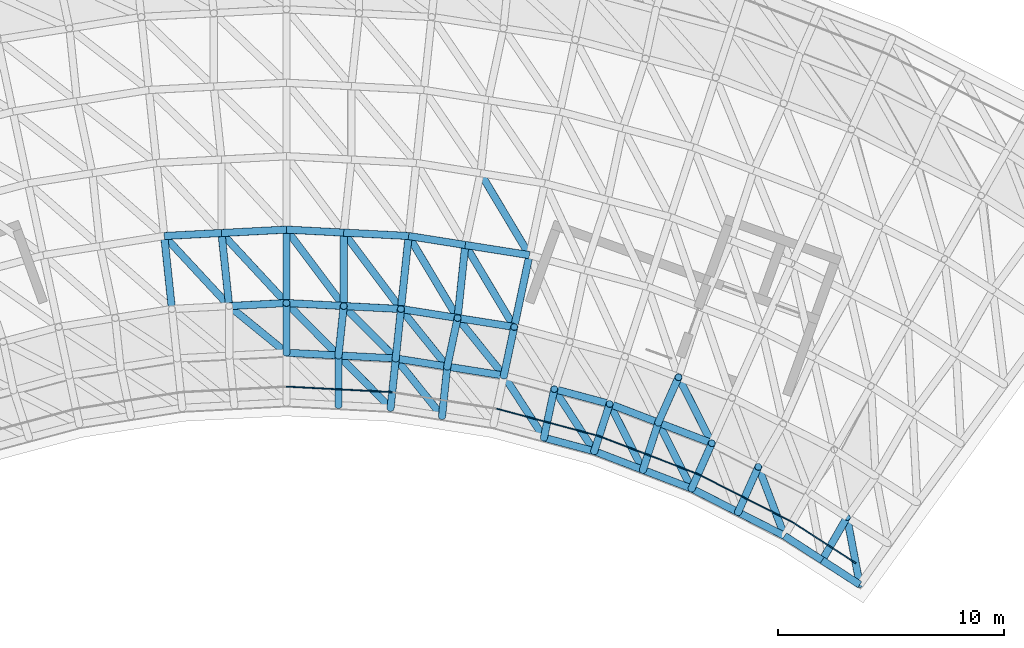
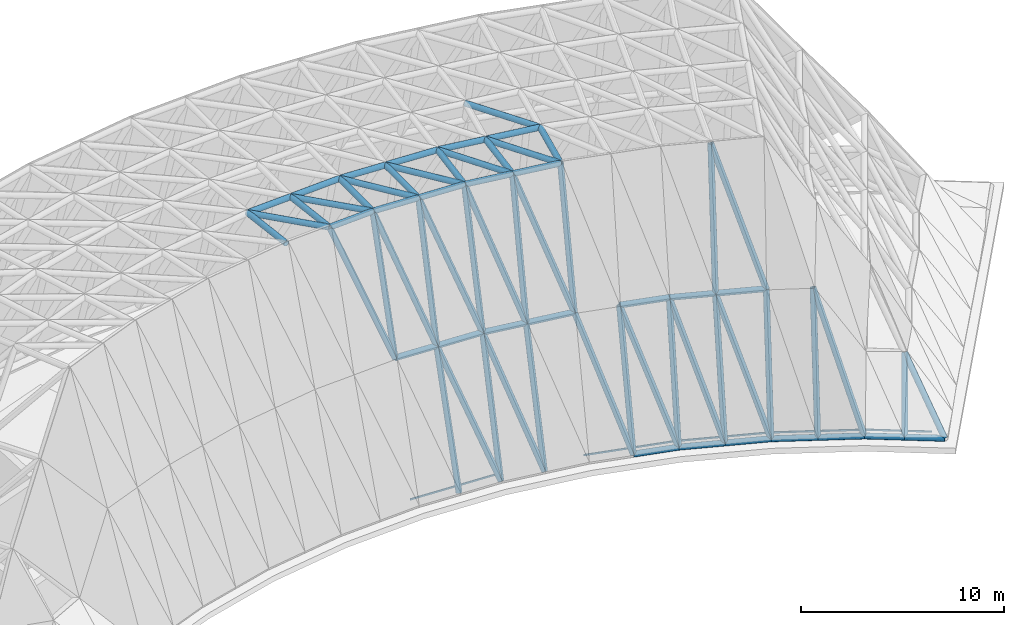
# One storey, part 6 of 20: 73 members.
"""IFC4 building model written with IfcOpenShell, lengths in metres."""

import ifcopenshell
import ifcopenshell.guid

model = None  # the IFC model being written
_history = None  # IfcOwnerHistory: only IFC2X3 demands one
_inside = {}  # id of a spatial element -> (the spatial element, [elements in it])
_under = {}  # id of a project, library or spatial element -> (it, [spatial elements below it])
_declared = {}  # id of a project -> (the project, [libraries it declares])
_typed = {}  # id of a type object -> (the type object, [elements of that type])
_made_of = {}  # id of a material, layer set ... -> (it, [elements and type objects made of it])


def new_model(schema):
    """Start an empty IFC model of exactly this schema.

    Asked for "IFC4X3", IfcOpenShell would pick the latest addendum, in which some entities
    have other attributes; the version numbers below select the first issue.
    IFC2X3 requires an IfcOwnerHistory on every rooted entity: one is made here for all.
    """
    global model, _history
    if schema == "IFC4X3":
        model = ifcopenshell.file(schema_version=(4, 3, 0, 0))
    else:
        model = ifcopenshell.file(schema=schema)
    _inside.clear()
    _under.clear()
    _declared.clear()
    _typed.clear()
    _made_of.clear()
    _history = None
    if model.schema == "IFC2X3":
        org = make("IfcOrganization", Name="unknown")
        user = make(
            "IfcPersonAndOrganization",
            ThePerson=make("IfcPerson", FamilyName="unknown"),
            TheOrganization=org,
        )
        app = make(
            "IfcApplication",
            ApplicationDeveloper=org,
            Version="unknown",
            ApplicationFullName="unknown",
            ApplicationIdentifier="unknown",
        )
        _history = make(
            "IfcOwnerHistory",
            OwningUser=user,
            OwningApplication=app,
            ChangeAction="ADDED",
            CreationDate=0,
        )
    return model


def make(cls, **values):
    """One entity of the class cls with the attributes given. An attribute that is None is left unset."""
    return model.create_entity(
        cls, **{name: value for name, value in values.items() if value is not None}
    )


def rooted(cls, **values):
    """An entity with a GlobalId (a new one), such as an element, a storey or a relation."""
    return make(cls, GlobalId=ifcopenshell.guid.new(), OwnerHistory=_history, **values)


def si_unit(unit_type, name, prefix=None):
    """IfcSIUnit, for example si_unit("LENGTHUNIT", "METRE", prefix="MILLI")."""
    return make("IfcSIUnit", UnitType=unit_type, Prefix=prefix, Name=name)


def assignment(units):
    """IfcUnitAssignment: the units of a project."""
    return None if units is None else make("IfcUnitAssignment", Units=units)


def point(xyz):
    """IfcCartesianPoint."""
    return None if xyz is None else make("IfcCartesianPoint", Coordinates=xyz)


def direction(xyz):
    """IfcDirection."""
    return None if xyz is None else make("IfcDirection", DirectionRatios=xyz)


def frame(location, z_axis=None, x_axis=None):
    """IfcAxis2Placement3D, a coordinate frame: its origin and axes. An axis left out is left unset."""
    return make(
        "IfcAxis2Placement3D",
        Location=point(location),
        Axis=direction(z_axis),
        RefDirection=direction(x_axis),
    )


def frame_2d(location, x_axis=None):
    """IfcAxis2Placement2D, a coordinate frame in the plane: its origin and x axis."""
    return make(
        "IfcAxis2Placement2D", Location=point(location), RefDirection=direction(x_axis)
    )


def origin():
    """The frame at (0, 0, 0) with its axes left unset."""
    return frame((0.0, 0.0, 0.0))


def origin_2d():
    """The frame at (0, 0) in the plane with its x axis left unset."""
    return frame_2d((0.0, 0.0))


def place(relative_to, where):
    """IfcLocalPlacement: puts the frame where relative to a parent placement (None: the world)."""
    return make(
        "IfcLocalPlacement", PlacementRelTo=relative_to, RelativePlacement=where
    )


def context(
    kind, dimensions, precision=None, world=None, true_north=None, identifier=None
):
    """IfcGeometricRepresentationContext, for example the 3D "Model" context."""
    return make(
        "IfcGeometricRepresentationContext",
        ContextIdentifier=identifier,
        ContextType=kind,
        CoordinateSpaceDimension=dimensions,
        Precision=precision,
        WorldCoordinateSystem=world,
        TrueNorth=true_north,
    )


def subcontext(parent, identifier, kind, view, scale=None):
    """IfcGeometricRepresentationSubContext, for example "Body" below "Model"."""
    return make(
        "IfcGeometricRepresentationSubContext",
        ContextIdentifier=identifier,
        ContextType=kind,
        ParentContext=parent,
        TargetScale=scale,
        TargetView=view,
    )


def project(units=None, contexts=None):
    """IfcProject with its units and contexts."""
    return rooted(
        "IfcProject",
        Name="project",
        RepresentationContexts=contexts,
        UnitsInContext=assignment(units),
    )


def spatial(cls, under=None, at=None, **own):
    """A site, building, storey or space (cls), placed at a placement, below another one or the project."""
    s = rooted(cls, ObjectPlacement=at, **own)
    if under is not None:
        _under.setdefault(under.id(), (under, []))[1].append(s)
    return s


def profile(cls, at=None, kind="AREA", **sizes):
    """A parametric profile (cls). Its sizes go by their IFC names, for example OverallWidth=200.0."""
    return make(cls, ProfileType=kind, Position=at, **sizes)


def rectangle(**sizes):
    """IfcRectangleProfileDef."""
    return profile("IfcRectangleProfileDef", **sizes)


def hollow_circle(**sizes):
    """IfcCircleHollowProfileDef."""
    return profile("IfcCircleHollowProfileDef", **sizes)


def extrude(swept, where, along, depth):
    """IfcExtrudedAreaSolid: the profile swept, set in the frame where, extruded along a direction by depth."""
    return make(
        "IfcExtrudedAreaSolid",
        SweptArea=swept,
        Position=where,
        ExtrudedDirection=direction(along),
        Depth=depth,
    )


def shape(context_of_items, identifier, shape_type, items):
    """IfcShapeRepresentation: the items that make up one representation, for example the "Body"."""
    return make(
        "IfcShapeRepresentation",
        ContextOfItems=context_of_items,
        RepresentationIdentifier=identifier,
        RepresentationType=shape_type,
        Items=items,
    )


def material(Name=None, Category=None):
    """IfcMaterial."""
    return make("IfcMaterial", Name=Name, Category=Category)


def material_profile(
    of_material, cross_section, Name=None, Category=None, Priority=None
):
    """IfcMaterialProfile: a cross section and its material."""
    return make(
        "IfcMaterialProfile",
        Name=Name,
        Material=of_material,
        Profile=cross_section,
        Priority=Priority,
        Category=Category,
    )


def profile_set(profiles, Name=None, composite=None):
    """IfcMaterialProfileSet."""
    return make(
        "IfcMaterialProfileSet",
        Name=Name,
        MaterialProfiles=profiles,
        CompositeProfile=composite,
    )


def made_of(thing, what):
    """Note that an element or type object is made of a material, layer set ...; save() writes the relation."""
    if what is not None:
        _made_of.setdefault(what.id(), (what, []))[1].append(thing)
    return thing


def type_object(cls, material=None, **own):
    """A type object (cls), such as IfcWallType, which elements share."""
    return made_of(rooted(cls, **own), material)


def element(
    cls,
    number,
    at=None,
    inside=None,
    cuts=None,
    type_object=None,
    material=None,
    context=None,
    identifier="Body",
    shape_type=None,
    held_by="IfcProductDefinitionShape",
    body=None,
    shapes=None,
    **own,
):
    """One element of the class cls, such as IfcWall. Its Tag is "e" and its number.

    at: its placement. inside: the storey or other place that contains it. cuts: it is an
    opening in that element (IfcRelVoidsElement). A single representation is given by context,
    identifier, shape_type and body (its items); several are given by shapes. held_by: the class
    of the entity that holds the representations. save() writes the other relations.
    """
    e = rooted(cls, Tag="e%d" % number, ObjectPlacement=at, **own)
    if body is not None:
        shapes = [shape(context, identifier, shape_type, body)]
    if shapes is not None:
        e.Representation = make(held_by, Representations=shapes)
    if inside is not None:
        _inside.setdefault(inside.id(), (inside, []))[1].append(e)
    if cuts is not None:
        rooted(
            "IfcRelVoidsElement", RelatingBuildingElement=cuts, RelatedOpeningElement=e
        )
    if type_object is not None:
        _typed.setdefault(type_object.id(), (type_object, []))[1].append(e)
    return made_of(e, material)


def aggregate(whole, parts):
    """IfcRelAggregates: a whole, such as a stair, and the parts it consists of."""
    return rooted("IfcRelAggregates", RelatingObject=whole, RelatedObjects=parts)


def save(model, path):
    """Write the relations noted so far, then the file.

    IfcRelAggregates (storeys below a building ...), IfcRelContainedInSpatialStructure (elements
    in a storey), IfcRelDefinesByType, IfcRelAssociatesMaterial and IfcRelDeclares: one each for
    every whole, place, type object, material and project.
    """
    for whole, parts in _under.values():
        aggregate(whole, parts)
    for where, things in _inside.values():
        rooted(
            "IfcRelContainedInSpatialStructure",
            RelatedElements=things,
            RelatingStructure=where,
        )
    for kind, things in _typed.values():
        rooted("IfcRelDefinesByType", RelatedObjects=things, RelatingType=kind)
    for what, things in _made_of.values():
        rooted("IfcRelAssociatesMaterial", RelatedObjects=things, RelatingMaterial=what)
    for by, libraries in _declared.values():
        rooted("IfcRelDeclares", RelatingContext=by, RelatedDefinitions=libraries)
    model.write(path)


model = new_model("IFC4")

# Units and contexts
model_context = context("Model", 3, precision=1e-05, world=origin(), true_north=direction((0.0, 1.0)))
body_context = subcontext(model_context, "Body", "Model", "MODEL_VIEW")
ifc_project = project(units=[si_unit("LENGTHUNIT", "METRE"), si_unit("AREAUNIT", "SQUARE_METRE"), si_unit("VOLUMEUNIT", "CUBIC_METRE"), si_unit("PLANEANGLEUNIT", "RADIAN"), si_unit("MASSUNIT", "GRAM", prefix="KILO")], contexts=[model_context])

# Site, building, storey
site_placement = place(None, origin())
site = spatial("IfcSite", under=ifc_project, at=site_placement, CompositionType="ELEMENT")
building_placement = place(site_placement, origin())
building = spatial("IfcBuilding", under=site, at=building_placement, Name="Stone Belt Terrace Tower", CompositionType="ELEMENT")
storey_placement = place(building_placement, frame((0.0, 0.0, 337.39990234375)))
storey = spatial("IfcBuildingStorey", under=building, at=storey_placement, Name="RF", CompositionType="ELEMENT", Elevation=337.39990234375)

# Members
ifc_material_1 = material(Name="Structural steel C345", Category="steel")
ifc_material_profile_1 = material_profile(ifc_material_1, hollow_circle(Radius=0.16259765625, WallThickness=0.011962890625, at=origin_2d()), Name="Structural steel C345 CHS 325x12")
ifc_profile_set_1 = profile_set([ifc_material_profile_1], Name="Structural steel C345")
member_type_1 = type_object("IfcMemberType", Name="Crown frame tube CHS 325 x 12", PredefinedType="RAFTER", material=ifc_profile_set_1)
member_1_placement = place(storey_placement, frame((0.0, 48.5, 15.16259765625), z_axis=(0.0, -0.281439053934, -0.959579105088), x_axis=(1.0, 0.0, 0.0)))
element("IfcMember", 1, at=member_1_placement, inside=storey, type_object=member_type_1, Name="CROWN FRAME rafter 313", PredefinedType="RAFTER", context=body_context, shape_type="SweptSolid", body=[
    extrude(hollow_circle(Radius=0.16259765625, WallThickness=0.011962890625, at=origin_2d()), origin(), (0.0, 0.0, 1.0), 7.81591796875),
])
for number, where, z_axis, x_axis, name in (
    (2, (0.0, 48.5, 15.16259765625), (0.281704585768, -0.283584406646, -0.916636465926), (0.709454282462, 0.704751460514, 0.0), "CROWN FRAME rafter 315"),
    (3, (-2.534912109375, 48.3671875, 15.16259765625), (0.30980943942, -0.252609719169, -0.916627754886), (0.631932106739, 0.775023749618, 0.0), "CROWN FRAME rafter 317"),
):
    element("IfcMember", number, at=place(storey_placement, frame(where, z_axis=z_axis, x_axis=x_axis)), inside=storey, type_object=member_type_1, Name=name, PredefinedType="RAFTER", context=body_context, shape_type="SweptSolid", body=[
        extrude(hollow_circle(Radius=0.16259765625, WallThickness=0.011962890625, at=origin_2d()), origin(), (0.0, 0.0, 1.0), 8.18212890625),
    ])
member_2_placement = place(storey_placement, frame((5.069580078125, 48.234375, 15.16259765625), z_axis=(-0.029424753509, -0.279878759495, -0.959584318267), x_axis=(0.994518825066, -0.104557671117, 0.0)))
element("IfcMember", 4, at=member_2_placement, inside=storey, type_object=member_type_1, Name="CROWN FRAME rafter 363", PredefinedType="RAFTER", context=body_context, shape_type="SweptSolid", body=[
    extrude(hollow_circle(Radius=0.16259765625, WallThickness=0.011962890625, at=origin_2d()), origin(), (0.0, 0.0, 1.0), 7.81591796875),
])
member_3_placement = place(storey_placement, frame((5.069580078125, 48.234375, 15.16259765625), z_axis=(0.250522644816, -0.311482359366, -0.91663359323), x_axis=(0.779234847809, 0.626732041594, 0.0)))
element("IfcMember", 5, at=member_3_placement, inside=storey, type_object=member_type_1, Name="CROWN FRAME rafter 365", PredefinedType="RAFTER", context=body_context, shape_type="SweptSolid", body=[
    extrude(hollow_circle(Radius=0.16259765625, WallThickness=0.011962890625, at=origin_2d()), origin(), (0.0, 0.0, 1.0), 8.18212890625),
])
member_4_placement = place(storey_placement, frame((2.534912109375, 48.3671875, 15.16259765625), z_axis=(-0.029424753509, -0.279878759495, -0.959584318267), x_axis=(0.994518825066, -0.104557671117, 0.0)))
element("IfcMember", 6, at=member_4_placement, inside=storey, type_object=member_type_1, Name="CROWN FRAME rafter 366", PredefinedType="RAFTER", context=body_context, shape_type="SweptSolid", body=[
    extrude(hollow_circle(Radius=0.16259765625, WallThickness=0.011962890625, at=origin_2d()), origin(), (0.0, 0.0, 1.0), 7.81591796875),
])
for number, where, z_axis, x_axis, name in (
    (7, (2.534912109375, 48.3671875, 15.16259765625), (0.281677114898, -0.283586790253, -0.916644170514), (0.709491606589, 0.704713885332, 0.0), "CROWN FRAME rafter 367"),
    (8, (2.304931640625, 46.1796875, 7.66259765625), (0.28170220197, -0.283611845114, -0.916628709302), (0.709491355268, 0.704714138357, 0.0), "CROWN FRAME rafter 369"),
):
    element("IfcMember", number, at=place(storey_placement, frame(where, z_axis=z_axis, x_axis=x_axis)), inside=storey, type_object=member_type_1, Name=name, PredefinedType="RAFTER", context=body_context, shape_type="SweptSolid", body=[
        extrude(hollow_circle(Radius=0.16259765625, WallThickness=0.011962890625, at=origin_2d()), origin(), (0.0, 0.0, 1.0), 8.18212890625),
    ])
for number, where, z_axis, x_axis, name in (
    (9, (2.304931640625, 46.1796875, 7.66259765625), (0.0, -0.281439053934, -0.959579105088), (1.0, 0.0, 0.0), "CROWN FRAME rafter 370"),
    (10, (4.839599609375, 46.046875, 7.66259765625), (-0.02939328706, -0.279907805896, -0.959576810304), (0.994531571653, -0.104436358545, 0.0), "CROWN FRAME rafter 371"),
):
    element("IfcMember", number, at=place(storey_placement, frame(where, z_axis=z_axis, x_axis=x_axis)), inside=storey, type_object=member_type_1, Name=name, PredefinedType="RAFTER", context=body_context, shape_type="SweptSolid", body=[
        extrude(hollow_circle(Radius=0.16259765625, WallThickness=0.011962890625, at=origin_2d()), origin(), (0.0, 0.0, 1.0), 7.81591796875),
    ])
member_5_placement = place(storey_placement, frame((4.839599609375, 46.046875, 7.66259765625), z_axis=(0.250522644816, -0.311482359366, -0.91663359323), x_axis=(0.779234847809, 0.626732041594, 0.0)))
element("IfcMember", 11, at=member_5_placement, inside=storey, type_object=member_type_1, Name="CROWN FRAME rafter 373", PredefinedType="RAFTER", context=body_context, shape_type="SweptSolid", body=[
    extrude(hollow_circle(Radius=0.16259765625, WallThickness=0.011962890625, at=origin_2d()), origin(), (0.0, 0.0, 1.0), 8.18212890625),
])
for number, where, z_axis, x_axis, name in (
    (12, (10.083740234375, 47.440185546875, 15.16259765625), (-0.058505673699, -0.275285906198, -0.959580510428), (0.978153491089, -0.207883976944, 0.0), "CROWN FRAME rafter 413"),
    (13, (7.57666015625, 47.837158203125, 15.16259765625), (-0.058506176763, -0.275257036644, -0.959588761428), (0.978148693799, -0.207906548285, 0.0), "CROWN FRAME rafter 416"),
):
    element("IfcMember", number, at=place(storey_placement, frame(where, z_axis=z_axis, x_axis=x_axis)), inside=storey, type_object=member_type_1, Name=name, PredefinedType="RAFTER", context=body_context, shape_type="SweptSolid", body=[
        extrude(hollow_circle(Radius=0.16259765625, WallThickness=0.011962890625, at=origin_2d()), origin(), (0.0, 0.0, 1.0), 7.81591796875),
    ])
member_6_placement = place(storey_placement, frame((7.57666015625, 47.837158203125, 15.16259765625), z_axis=(0.250522644816, -0.311482359366, -0.91663359323), x_axis=(0.779234847809, 0.626732041594, 0.0)))
element("IfcMember", 14, at=member_6_placement, inside=storey, type_object=member_type_1, Name="CROWN FRAME rafter 417", PredefinedType="RAFTER", context=body_context, shape_type="SweptSolid", body=[
    extrude(hollow_circle(Radius=0.16259765625, WallThickness=0.011962890625, at=origin_2d()), origin(), (0.0, 0.0, 1.0), 8.18212890625),
])
member_7_placement = place(storey_placement, frame((7.119384765625, 45.685791015625, 7.66259765625), z_axis=(-0.029424753509, -0.279878759495, -0.959584318267), x_axis=(0.994518825066, -0.104557671117, 0.0)))
element("IfcMember", 15, at=member_7_placement, inside=storey, type_object=member_type_1, Name="CROWN FRAME rafter 420", PredefinedType="RAFTER", context=body_context, shape_type="SweptSolid", body=[
    extrude(hollow_circle(Radius=0.16259765625, WallThickness=0.011962890625, at=origin_2d()), origin(), (0.0, 0.0, 1.0), 7.81591796875),
])
for number, where, z_axis, x_axis, name in (
    (16, (9.62646484375, 45.28857421875, 7.66259765625), (0.216568732317, -0.335953066569, -0.916642526422), (0.840496245792, 0.541817368501, 0.0), "CROWN FRAME rafter 423"),
    (17, (11.855712890625, 44.691162109375, 7.66259765625), (0.216597171173, -0.335950895473, -0.916636602624), (0.84046224976, 0.541870101342, 0.0), "CROWN FRAME rafter 469"),
):
    element("IfcMember", number, at=place(storey_placement, frame(where, z_axis=z_axis, x_axis=x_axis)), inside=storey, type_object=member_type_1, Name=name, PredefinedType="RAFTER", context=body_context, shape_type="SweptSolid", body=[
        extrude(hollow_circle(Radius=0.16259765625, WallThickness=0.011962890625, at=origin_2d()), origin(), (0.0, 0.0, 1.0), 8.18212890625),
    ])
for number, where, z_axis, x_axis, name in (
    (18, (11.855712890625, 44.691162109375, 7.66259765625), (-0.058506176763, -0.275257036644, -0.959588761428), (0.978148693799, -0.207906548285, 0.0), "CROWN FRAME rafter 470"),
    (19, (14.3076171875, 44.034423828125, 7.66259765625), (-0.086961927799, -0.267664065845, -0.959579892958), (0.951064242649, -0.30899321409, 0.0), "CROWN FRAME rafter 471"),
):
    element("IfcMember", number, at=place(storey_placement, frame(where, z_axis=z_axis, x_axis=x_axis)), inside=storey, type_object=member_type_1, Name=name, PredefinedType="RAFTER", context=body_context, shape_type="SweptSolid", body=[
        extrude(hollow_circle(Radius=0.16259765625, WallThickness=0.011962890625, at=origin_2d()), origin(), (0.0, 0.0, 1.0), 7.81591796875),
    ])
member_8_placement = place(storey_placement, frame((14.3076171875, 44.034423828125, 7.66259765625), z_axis=(0.18028240002, -0.356775348733, -0.916629481732), x_axis=(0.892523185022, 0.451001512412, 0.0)))
element("IfcMember", 20, at=member_8_placement, inside=storey, type_object=member_type_1, Name="CROWN FRAME rafter 473", PredefinedType="RAFTER", context=body_context, shape_type="SweptSolid", body=[
    extrude(hollow_circle(Radius=0.16259765625, WallThickness=0.011962890625, at=origin_2d()), origin(), (0.0, 0.0, 1.0), 8.18212890625),
])
member_9_placement = place(storey_placement, frame((17.35693359375, 45.216552734375, 15.16259765625), z_axis=(-0.114451044871, -0.257077538014, -0.959589546513), x_axis=(0.913555029688, -0.406715143229, 0.0)))
element("IfcMember", 21, at=member_9_placement, inside=storey, type_object=member_type_1, Name="CROWN FRAME rafter 516", PredefinedType="RAFTER", context=body_context, shape_type="SweptSolid", body=[
    extrude(hollow_circle(Radius=0.16259765625, WallThickness=0.011962890625, at=origin_2d()), origin(), (0.0, 0.0, 1.0), 7.81591796875),
])
for number, where, z_axis, x_axis, name in (
    (22, (17.35693359375, 45.216552734375, 15.16259765625), (0.180284319173, -0.356749308182, -0.91663923949), (0.892508000656, 0.45103156072, 0.0), "CROWN FRAME rafter 517"),
    (23, (16.46240234375, 43.207275390625, 7.66259765625), (0.18028240002, -0.356775348733, -0.916629481732), (0.892523185022, 0.451001512412, 0.0), "CROWN FRAME rafter 519"),
):
    element("IfcMember", number, at=place(storey_placement, frame(where, z_axis=z_axis, x_axis=x_axis)), inside=storey, type_object=member_type_1, Name=name, PredefinedType="RAFTER", context=body_context, shape_type="SweptSolid", body=[
        extrude(hollow_circle(Radius=0.16259765625, WallThickness=0.011962890625, at=origin_2d()), origin(), (0.0, 0.0, 1.0), 8.18212890625),
    ])
for number, where, z_axis, x_axis, name in (
    (24, (16.46240234375, 43.207275390625, 7.66259765625), (-0.086961927799, -0.267664065845, -0.959579892958), (0.951064242649, -0.30899321409, 0.0), "CROWN FRAME rafter 520"),
    (25, (18.83203125, 42.297607421875, 7.66259765625), (-0.114450125757, -0.257106709908, -0.959581840405), (0.913573388708, -0.406673903077, 0.0), "CROWN FRAME rafter 521"),
):
    element("IfcMember", number, at=place(storey_placement, frame(where, z_axis=z_axis, x_axis=x_axis)), inside=storey, type_object=member_type_1, Name=name, PredefinedType="RAFTER", context=body_context, shape_type="SweptSolid", body=[
        extrude(hollow_circle(Radius=0.16259765625, WallThickness=0.011962890625, at=origin_2d()), origin(), (0.0, 0.0, 1.0), 7.81591796875),
    ])
member_10_placement = place(storey_placement, frame((20.888427734375, 41.249755859375, 7.66259765625), z_axis=(0.142000116965, -0.373664102701, -0.916630299049), x_axis=(0.934777136089, 0.355234719368, 0.0)))
element("IfcMember", 26, at=member_10_placement, inside=storey, type_object=member_type_1, Name="CROWN FRAME rafter 569", PredefinedType="RAFTER", context=body_context, shape_type="SweptSolid", body=[
    extrude(hollow_circle(Radius=0.16259765625, WallThickness=0.011962890625, at=origin_2d()), origin(), (0.0, 0.0, 1.0), 8.18212890625),
])
member_11_placement = place(storey_placement, frame((20.888427734375, 41.249755859375, 7.66259765625), z_axis=(-0.114450125757, -0.257106709908, -0.959581840405), x_axis=(0.913573388708, -0.406673903077, 0.0)))
element("IfcMember", 27, at=member_11_placement, inside=storey, type_object=member_type_1, Name="CROWN FRAME rafter 570", PredefinedType="RAFTER", context=body_context, shape_type="SweptSolid", body=[
    extrude(hollow_circle(Radius=0.16259765625, WallThickness=0.011962890625, at=origin_2d()), origin(), (0.0, 0.0, 1.0), 7.81591796875),
])
member_12_placement = place(storey_placement, frame((24.815185546875, 39.017333984375, 3.721435546875), z_axis=(0.120788836537, -0.637911151404, -0.760578345658), x_axis=(0.982541272938, 0.186044744549, 0.0)))
element("IfcMember", 28, at=member_12_placement, inside=storey, type_object=member_type_1, Name="CROWN FRAME rafter 605", PredefinedType="RAFTER", context=body_context, shape_type="SweptSolid", body=[
    extrude(hollow_circle(Radius=0.16259765625, WallThickness=0.011962890625, at=origin_2d()), origin(), (0.0, 0.0, 1.0), 4.67919921875),
])
member_13_placement = place(storey_placement, frame((24.815185546875, 39.017333984375, 3.721435546875), z_axis=(-0.262891157464, -0.455288970152, -0.85064692616), x_axis=(0.866000736692, -0.500042722224, 0.0)))
element("IfcMember", 29, at=member_13_placement, inside=storey, type_object=member_type_1, Name="CROWN FRAME rafter 606", PredefinedType="RAFTER", context=body_context, shape_type="SweptSolid", body=[
    extrude(hollow_circle(Radius=0.16259765625, WallThickness=0.011962890625, at=origin_2d()), origin(), (0.0, 0.0, 1.0), 4.18359375),
])
ifc_material_profile_2 = material_profile(ifc_material_1, hollow_circle(Radius=0.16259765625, WallThickness=0.011962890625, at=origin_2d()), Name="Structural steel C345 CHS 325x12")
ifc_profile_set_2 = profile_set([ifc_material_profile_2], Name="Structural steel C345")
member_type_2 = type_object("IfcMemberType", Name="Crown ring and ridge tube CHS 325 x 12", PredefinedType="CHORD", material=ifc_profile_set_2)
member_14_placement = place(storey_placement, frame((-5.409423828125, 51.466552734375, 15.16259765625), z_axis=(0.104567472619, -0.994517794547, 0.0), x_axis=(0.994517794547, 0.104567472619, 0.0)))
element("IfcMember", 30, at=member_14_placement, inside=storey, type_object=member_type_2, Name="CROWN FRAME cap beam 259", PredefinedType="CHORD", context=body_context, shape_type="SweptSolid", body=[
    extrude(hollow_circle(Radius=0.16259765625, WallThickness=0.011962890625, at=origin_2d()), origin(), (0.0, 0.0, 1.0), 3.25),
])
member_15_placement = place(storey_placement, frame((-5.409423828125, 51.466552734375, 15.16259765625), z_axis=(0.998630288523, 0.052321571507, 0.0), x_axis=(-0.052321571507, 0.998630288523, 0.0)))
element("IfcMember", 31, at=member_15_placement, inside=storey, type_object=member_type_2, Name="CROWN FRAME cap beam 260", PredefinedType="CHORD", context=body_context, shape_type="SweptSolid", body=[
    extrude(hollow_circle(Radius=0.16259765625, WallThickness=0.011962890625, at=origin_2d()), origin(), (0.0, 0.0, 1.0), 2.538330078125),
])
member_16_placement = place(storey_placement, frame((-5.409423828125, 51.466552734375, 15.16259765625), z_axis=(0.680010137649, -0.733202709143, 0.0), x_axis=(0.733202709143, 0.680010137649, 0.0)))
element("IfcMember", 32, at=member_16_placement, inside=storey, type_object=member_type_2, Name="CROWN FRAME cap beam 261", PredefinedType="CHORD", context=body_context, shape_type="SweptSolid", body=[
    extrude(hollow_circle(Radius=0.16259765625, WallThickness=0.011962890625, at=origin_2d()), origin(), (0.0, 0.0, 1.0), 4.22705078125),
])
member_17_placement = place(storey_placement, frame((-2.87451171875, 51.599365234375, 15.16259765625), z_axis=(0.998629752813, 0.052331795268, 0.0), x_axis=(-0.052331795268, 0.998629752813, 0.0)))
element("IfcMember", 33, at=member_17_placement, inside=storey, type_object=member_type_2, Name="CROWN FRAME cap beam 306", PredefinedType="CHORD", context=body_context, shape_type="SweptSolid", body=[
    extrude(hollow_circle(Radius=0.16259765625, WallThickness=0.011962890625, at=origin_2d()), origin(), (0.0, 0.0, 1.0), 2.87841796875),
])
member_18_placement = place(storey_placement, frame((-2.87451171875, 51.599365234375, 15.16259765625), z_axis=(0.680010137649, -0.733202709143, 0.0), x_axis=(0.733202709143, 0.680010137649, 0.0)))
element("IfcMember", 34, at=member_18_placement, inside=storey, type_object=member_type_2, Name="CROWN FRAME cap beam 307", PredefinedType="CHORD", context=body_context, shape_type="SweptSolid", body=[
    extrude(hollow_circle(Radius=0.16259765625, WallThickness=0.011962890625, at=origin_2d()), origin(), (0.0, 0.0, 1.0), 4.22705078125),
])
for number, where, z_axis, x_axis, name in (
    (35, (-2.87451171875, 51.599365234375, 15.16259765625), (0.104493172826, -0.99452560391, 0.0), (0.99452560391, 0.104493172826, 0.0), "CROWN FRAME cap beam 308"),
    (36, (0.0, 51.75, 15.16259765625), (0.0, -1.0, 0.0), (1.0, 0.0, 0.0), "CROWN FRAME cap beam 309"),
):
    element("IfcMember", number, at=place(storey_placement, frame(where, z_axis=z_axis, x_axis=x_axis)), inside=storey, type_object=member_type_2, Name=name, PredefinedType="CHORD", context=body_context, shape_type="SweptSolid", body=[
        extrude(hollow_circle(Radius=0.16259765625, WallThickness=0.011962890625, at=origin_2d()), origin(), (0.0, 0.0, 1.0), 3.25),
    ])
member_19_placement = place(storey_placement, frame((0.0, 51.75, 15.16259765625), z_axis=(0.998630288523, -0.052321571507, 0.0), x_axis=(0.052321571507, 0.998630288523, 0.0)))
element("IfcMember", 37, at=member_19_placement, inside=storey, type_object=member_type_2, Name="CROWN FRAME cap beam 310", PredefinedType="CHORD", context=body_context, shape_type="SweptSolid", body=[
    extrude(hollow_circle(Radius=0.16259765625, WallThickness=0.011962890625, at=origin_2d()), origin(), (0.0, 0.0, 1.0), 2.538330078125),
])
member_20_placement = place(storey_placement, frame((0.0, 51.75, 15.16259765625), z_axis=(0.599667280925, -0.800249431233, 0.0), x_axis=(0.800249431233, 0.599667280925, 0.0)))
element("IfcMember", 38, at=member_20_placement, inside=storey, type_object=member_type_2, Name="CROWN FRAME cap beam 311", PredefinedType="CHORD", context=body_context, shape_type="SweptSolid", body=[
    extrude(hollow_circle(Radius=0.16259765625, WallThickness=0.011962890625, at=origin_2d()), origin(), (0.0, 0.0, 1.0), 4.227294921875),
])
for number, where, z_axis, x_axis, name in (
    (39, (0.0, 48.5, 15.16259765625), (-0.998630288523, -0.052321571507, 0.0), (0.052321571507, -0.998630288523, 0.0), "CROWN FRAME cap beam 312"),
    (40, (0.0, 48.5, 15.16259765625), (0.998630288523, -0.052321571507, 0.0), (0.052321571507, 0.998630288523, 0.0), "CROWN FRAME cap beam 314"),
):
    element("IfcMember", number, at=place(storey_placement, frame(where, z_axis=z_axis, x_axis=x_axis)), inside=storey, type_object=member_type_2, Name=name, PredefinedType="CHORD", context=body_context, shape_type="SweptSolid", body=[
        extrude(hollow_circle(Radius=0.16259765625, WallThickness=0.011962890625, at=origin_2d()), origin(), (0.0, 0.0, 1.0), 2.538330078125),
    ])
member_21_placement = place(storey_placement, frame((0.0, 46.30029296875, 7.66259765625), z_axis=(0.998633853631, -0.052253482014, 0.0), x_axis=(0.052253482014, 0.998633853631, 0.0)))
element("IfcMember", 41, at=member_21_placement, inside=storey, type_object=member_type_2, Name="CROWN FRAME cap beam 322", PredefinedType="CHORD", context=body_context, shape_type="SweptSolid", body=[
    extrude(hollow_circle(Radius=0.16259765625, WallThickness=0.011962890625, at=origin_2d()), origin(), (0.0, 0.0, 1.0), 2.30810546875),
])
member_22_placement = place(storey_placement, frame((2.534912109375, 51.6171875, 15.16259765625), z_axis=(0.998629752813, -0.052331795268, 0.0), x_axis=(0.052331795268, 0.998629752813, 0.0)))
element("IfcMember", 42, at=member_22_placement, inside=storey, type_object=member_type_2, Name="CROWN FRAME cap beam 356", PredefinedType="CHORD", context=body_context, shape_type="SweptSolid", body=[
    extrude(hollow_circle(Radius=0.16259765625, WallThickness=0.011962890625, at=origin_2d()), origin(), (0.0, 0.0, 1.0), 2.87841796875),
])
member_23_placement = place(storey_placement, frame((2.534912109375, 51.6171875, 15.16259765625), z_axis=(0.599630292928, -0.80027714687, 0.0), x_axis=(0.80027714687, 0.599630292928, 0.0)))
element("IfcMember", 43, at=member_23_placement, inside=storey, type_object=member_type_2, Name="CROWN FRAME cap beam 357", PredefinedType="CHORD", context=body_context, shape_type="SweptSolid", body=[
    extrude(hollow_circle(Radius=0.16259765625, WallThickness=0.011962890625, at=origin_2d()), origin(), (0.0, 0.0, 1.0), 4.22705078125),
])
for number, where, z_axis, x_axis, name in (
    (44, (2.534912109375, 51.6171875, 15.16259765625), (0.0, -1.0, 0.0), (1.0, 0.0, 0.0), "CROWN FRAME cap beam 358"),
    (45, (5.409423828125, 51.466552734375, 15.16259765625), (-0.104567472619, -0.994517794547, 0.0), (0.994517794547, -0.104567472619, 0.0), "CROWN FRAME cap beam 359"),
):
    element("IfcMember", number, at=place(storey_placement, frame(where, z_axis=z_axis, x_axis=x_axis)), inside=storey, type_object=member_type_2, Name=name, PredefinedType="CHORD", context=body_context, shape_type="SweptSolid", body=[
        extrude(hollow_circle(Radius=0.16259765625, WallThickness=0.011962890625, at=origin_2d()), origin(), (0.0, 0.0, 1.0), 3.25),
    ])
member_24_placement = place(storey_placement, frame((5.409423828125, 51.466552734375, 15.16259765625), z_axis=(0.987680163128, -0.156486086806, 0.0), x_axis=(0.156486086806, 0.987680163128, 0.0)))
element("IfcMember", 46, at=member_24_placement, inside=storey, type_object=member_type_2, Name="CROWN FRAME cap beam 360", PredefinedType="CHORD", context=body_context, shape_type="SweptSolid", body=[
    extrude(hollow_circle(Radius=0.16259765625, WallThickness=0.011962890625, at=origin_2d()), origin(), (0.0, 0.0, 1.0), 2.538330078125),
])
member_25_placement = place(storey_placement, frame((5.409423828125, 51.466552734375, 15.16259765625), z_axis=(0.512685539738, -0.858576459812, 0.0), x_axis=(0.858576459812, 0.512685539738, 0.0)))
element("IfcMember", 47, at=member_25_placement, inside=storey, type_object=member_type_2, Name="CROWN FRAME cap beam 361", PredefinedType="CHORD", context=body_context, shape_type="SweptSolid", body=[
    extrude(hollow_circle(Radius=0.16259765625, WallThickness=0.011962890625, at=origin_2d()), origin(), (0.0, 0.0, 1.0), 4.227294921875),
])
member_26_placement = place(storey_placement, frame((5.069580078125, 48.234375, 15.16259765625), z_axis=(-0.998630025189, 0.052326597351, 0.0), x_axis=(-0.052326597351, -0.998630025189, 0.0)))
element("IfcMember", 48, at=member_26_placement, inside=storey, type_object=member_type_2, Name="CROWN FRAME cap beam 362", PredefinedType="CHORD", context=body_context, shape_type="SweptSolid", body=[
    extrude(hollow_circle(Radius=0.16259765625, WallThickness=0.011962890625, at=origin_2d()), origin(), (0.0, 0.0, 1.0), 2.5380859375),
])
member_27_placement = place(storey_placement, frame((5.069580078125, 48.234375, 15.16259765625), z_axis=(0.987680163128, -0.156486086806, 0.0), x_axis=(0.156486086806, 0.987680163128, 0.0)))
element("IfcMember", 49, at=member_27_placement, inside=storey, type_object=member_type_2, Name="CROWN FRAME cap beam 364", PredefinedType="CHORD", context=body_context, shape_type="SweptSolid", body=[
    extrude(hollow_circle(Radius=0.16259765625, WallThickness=0.011962890625, at=origin_2d()), origin(), (0.0, 0.0, 1.0), 2.538330078125),
])
member_28_placement = place(storey_placement, frame((2.304931640625, 46.1796875, 7.66259765625), z_axis=(0.998630025189, -0.052326597351, 0.0), x_axis=(0.052326597351, 0.998630025189, 0.0)))
element("IfcMember", 50, at=member_28_placement, inside=storey, type_object=member_type_2, Name="CROWN FRAME cap beam 368", PredefinedType="CHORD", context=body_context, shape_type="SweptSolid", body=[
    extrude(hollow_circle(Radius=0.16259765625, WallThickness=0.011962890625, at=origin_2d()), origin(), (0.0, 0.0, 1.0), 2.5380859375),
])
member_29_placement = place(storey_placement, frame((4.839599609375, 46.046875, 7.66259765625), z_axis=(0.987688240967, -0.156435094066, 0.0), x_axis=(0.156435094066, 0.987688240967, 0.0)))
element("IfcMember", 51, at=member_29_placement, inside=storey, type_object=member_type_2, Name="CROWN FRAME cap beam 372", PredefinedType="CHORD", context=body_context, shape_type="SweptSolid", body=[
    extrude(hollow_circle(Radius=0.16259765625, WallThickness=0.011962890625, at=origin_2d()), origin(), (0.0, 0.0, 1.0), 2.30810546875),
])
member_30_placement = place(storey_placement, frame((8.592041015625, 54.248291015625, 15.16259765625), z_axis=(0.51275353563, -0.858535853473, 0.0), x_axis=(0.858535853473, 0.51275353563, 0.0)))
element("IfcMember", 52, at=member_30_placement, inside=storey, type_object=member_type_2, Name="CROWN FRAME cap beam 405", PredefinedType="CHORD", context=body_context, shape_type="SweptSolid", body=[
    extrude(hollow_circle(Radius=0.16259765625, WallThickness=0.011962890625, at=origin_2d()), origin(), (0.0, 0.0, 1.0), 4.22705078125),
])
member_31_placement = place(storey_placement, frame((7.91650390625, 51.0693359375, 15.16259765625), z_axis=(0.987693409167, -0.156402459983, 0.0), x_axis=(0.156402459983, 0.987693409167, 0.0)))
element("IfcMember", 53, at=member_31_placement, inside=storey, type_object=member_type_2, Name="CROWN FRAME cap beam 406", PredefinedType="CHORD", context=body_context, shape_type="SweptSolid", body=[
    extrude(hollow_circle(Radius=0.16259765625, WallThickness=0.011962890625, at=origin_2d()), origin(), (0.0, 0.0, 1.0), 2.87841796875),
])
member_32_placement = place(storey_placement, frame((7.91650390625, 51.0693359375, 15.16259765625), z_axis=(0.512710963077, -0.858561278151, 0.0), x_axis=(0.858561278151, 0.512710963077, 0.0)))
element("IfcMember", 54, at=member_32_placement, inside=storey, type_object=member_type_2, Name="CROWN FRAME cap beam 407", PredefinedType="CHORD", context=body_context, shape_type="SweptSolid", body=[
    extrude(hollow_circle(Radius=0.16259765625, WallThickness=0.011962890625, at=origin_2d()), origin(), (0.0, 0.0, 1.0), 4.22705078125),
])
for number, where, z_axis, x_axis, name in (
    (55, (7.91650390625, 51.0693359375, 15.16259765625), (-0.104567472619, -0.994517794547, 0.0), (0.994517794547, -0.104567472619, 0.0), "CROWN FRAME cap beam 408"),
    (56, (10.759521484375, 50.619140625, 15.16259765625), (-0.207933325345, -0.978143001923, 0.0), (0.978143001923, -0.207933325345, 0.0), "CROWN FRAME cap beam 409"),
):
    element("IfcMember", number, at=place(storey_placement, frame(where, z_axis=z_axis, x_axis=x_axis)), inside=storey, type_object=member_type_2, Name=name, PredefinedType="CHORD", context=body_context, shape_type="SweptSolid", body=[
        extrude(hollow_circle(Radius=0.16259765625, WallThickness=0.011962890625, at=origin_2d()), origin(), (0.0, 0.0, 1.0), 3.25),
    ])
for number, where, z_axis, x_axis, name in (
    (57, (10.083740234375, 47.440185546875, 15.16259765625), (-0.987695024419, 0.156392259198, 0.0), (-0.156392259198, -0.987695024419, 0.0), "CROWN FRAME cap beam 412"),
    (58, (7.119384765625, 45.685791015625, 7.66259765625), (0.987680163128, -0.156486086806, 0.0), (0.156486086806, 0.987680163128, 0.0), "CROWN FRAME cap beam 418"),
    (59, (11.855712890625, 44.691162109375, 7.66259765625), (0.965950197738, -0.25872807248, 0.0), (0.25872807248, 0.965950197738, 0.0), "CROWN FRAME cap beam 468"),
):
    element("IfcMember", number, at=place(storey_placement, frame(where, z_axis=z_axis, x_axis=x_axis)), inside=storey, type_object=member_type_2, Name=name, PredefinedType="CHORD", context=body_context, shape_type="SweptSolid", body=[
        extrude(hollow_circle(Radius=0.16259765625, WallThickness=0.011962890625, at=origin_2d()), origin(), (0.0, 0.0, 1.0), 2.538330078125),
    ])
for number, where, z_axis, x_axis, name in (
    (60, (14.3076171875, 44.034423828125, 7.66259765625), (0.933579859324, -0.358369427078, 0.0), (0.358369427078, 0.933579859324, 0.0), "CROWN FRAME cap beam 472"),
    (61, (13.6279296875, 41.9423828125, 0.16259765625), (-0.965923499902, 0.258827727142, 0.0), (-0.258827727142, -0.965923499902, 0.0), "CROWN FRAME ring beam 474"),
    (62, (13.6279296875, 41.9423828125, 0.16259765625), (0.933579859324, -0.358369427078, 0.0), (0.358369427078, 0.933579859324, 0.0), "CROWN FRAME ring beam 475"),
):
    element("IfcMember", number, at=place(storey_placement, frame(where, z_axis=z_axis, x_axis=x_axis)), inside=storey, type_object=member_type_2, Name=name, PredefinedType="CHORD", context=body_context, shape_type="SweptSolid", body=[
        extrude(hollow_circle(Radius=0.16259765625, WallThickness=0.011962890625, at=origin_2d()), origin(), (0.0, 0.0, 1.0), 2.30810546875),
    ])
member_33_placement = place(storey_placement, frame((16.46240234375, 43.207275390625, 7.66259765625), z_axis=(0.933573485821, -0.358386030102, 0.0), x_axis=(0.358386030102, 0.933573485821, 0.0)))
element("IfcMember", 63, at=member_33_placement, inside=storey, type_object=member_type_2, Name="CROWN FRAME cap beam 518", PredefinedType="CHORD", context=body_context, shape_type="SweptSolid", body=[
    extrude(hollow_circle(Radius=0.16259765625, WallThickness=0.011962890625, at=origin_2d()), origin(), (0.0, 0.0, 1.0), 2.538330078125),
])
member_34_placement = place(storey_placement, frame((17.9375, 40.2880859375, 0.16259765625), z_axis=(-0.933579859324, 0.358369427078, 0.0), x_axis=(-0.358369427078, -0.933579859324, 0.0)))
element("IfcMember", 64, at=member_34_placement, inside=storey, type_object=member_type_2, Name="CROWN FRAME ring beam 524", PredefinedType="CHORD", context=body_context, shape_type="SweptSolid", body=[
    extrude(hollow_circle(Radius=0.16259765625, WallThickness=0.011962890625, at=origin_2d()), origin(), (0.0, 0.0, 1.0), 2.30810546875),
])
for number, where, z_axis, x_axis, name in (
    (65, (17.9375, 40.2880859375, 0.16259765625), (0.890995093193, -0.454012933632, 0.0), (0.454012933632, 0.890995093193, 0.0), "CROWN FRAME ring beam 525"),
    (66, (22.05029296875, 38.1923828125, 0.16259765625), (-0.890995093193, 0.454012933632, 0.0), (-0.454012933632, -0.890995093193, 0.0), "CROWN FRAME ring beam 574"),
):
    element("IfcMember", number, at=place(storey_placement, frame(where, z_axis=z_axis, x_axis=x_axis)), inside=storey, type_object=member_type_2, Name=name, PredefinedType="CHORD", context=body_context, shape_type="SweptSolid", body=[
        extrude(hollow_circle(Radius=0.16259765625, WallThickness=0.011962890625, at=origin_2d()), origin(), (0.0, 0.0, 1.0), 2.307861328125),
    ])
for number, where, z_axis, x_axis, name in (
    (67, (22.05029296875, 38.1923828125, 0.16259765625), (0.839005306303, -0.544123236038, 0.0), (0.544123236038, 0.839005306303, 0.0), "CROWN FRAME ring beam 575"),
    (68, (25.38037109375, 36.032470703125, 0.16259765625), (-0.838949143626, 0.544209825719, 0.0), (-0.544209825719, -0.838949143626, 0.0), "CROWN FRAME ring beam 608"),
):
    element("IfcMember", number, at=place(storey_placement, frame(where, z_axis=z_axis, x_axis=x_axis)), inside=storey, type_object=member_type_2, Name=name, PredefinedType="CHORD", context=body_context, shape_type="SweptSolid", body=[
        extrude(hollow_circle(Radius=0.16259765625, WallThickness=0.011962890625, at=origin_2d()), origin(), (0.0, 0.0, 1.0), 1.984619140625),
    ])
ifc_material_2 = material(Name="Stainless steel AISI 304", Category="steel")
ifc_material_profile_3 = material_profile(ifc_material_2, rectangle(XDim=0.050048828125, YDim=0.10009765625, at=origin_2d()), Name="Stainless steel AISI 304 100x50")
ifc_profile_set_3 = profile_set([ifc_material_profile_3], Name="Stainless steel AISI 304")
member_type_3 = type_object("IfcMemberType", Name="Snow retention bar 100 x 50", PredefinedType="MEMBER", material=ifc_profile_set_3)
for number, where, z_axis, x_axis, name in (
    (69, (0.0, 44.8017578125, 0.050048828125), (0.998630312887, -0.052321106478, 0.0), (0.052321106478, 0.998630312887, 0.0), "SNOW GUARD retention bar inner 7"),
    (70, (9.314697265625, 43.82275390625, 0.050048828125), (0.965932715081, -0.258793334411, 0.0), (0.258793334411, 0.965932715081, 0.0), "SNOW GUARD retention bar inner 9"),
    (71, (13.844482421875, 42.609130859375, 0.050048828125), (0.933570844082, -0.358392911592, 0.0), (0.358392911592, 0.933570844082, 0.0), "SNOW GUARD retention bar inner 10"),
):
    element("IfcMember", number, at=place(storey_placement, frame(where, z_axis=z_axis, x_axis=x_axis)), inside=storey, type_object=member_type_3, Name=name, PredefinedType="MEMBER", context=body_context, shape_type="SweptSolid", body=[
        extrude(rectangle(XDim=0.050048828125, YDim=0.10009765625, at=origin_2d()), origin(), (0.0, 0.0, 1.0), 4.689453125),
    ])
member_35_placement = place(storey_placement, frame((18.222412109375, 40.928466796875, 0.050048828125), z_axis=(0.891006914695, -0.453989733326, 0.0), x_axis=(0.453989733326, 0.891006914695, 0.0)))
element("IfcMember", 72, at=member_35_placement, inside=storey, type_object=member_type_3, Name="SNOW GUARD retention bar inner 11", PredefinedType="MEMBER", context=body_context, shape_type="SweptSolid", body=[
    extrude(rectangle(XDim=0.050048828125, YDim=0.10009765625, at=origin_2d()), origin(), (0.0, 0.0, 1.0), 4.689208984375),
])
member_36_placement = place(storey_placement, frame((22.400634765625, 38.799560546875, 0.050048828125), z_axis=(0.838954074181, -0.544202224743, 0.0), x_axis=(0.544202224743, 0.838954074181, 0.0)))
element("IfcMember", 73, at=member_36_placement, inside=storey, type_object=member_type_3, Name="SNOW GUARD retention bar inner 12", PredefinedType="MEMBER", context=body_context, shape_type="SweptSolid", body=[
    extrude(rectangle(XDim=0.050048828125, YDim=0.10009765625, at=origin_2d()), origin(), (0.0, 0.0, 1.0), 3.34130859375),
])

save(model, "model.ifc")
